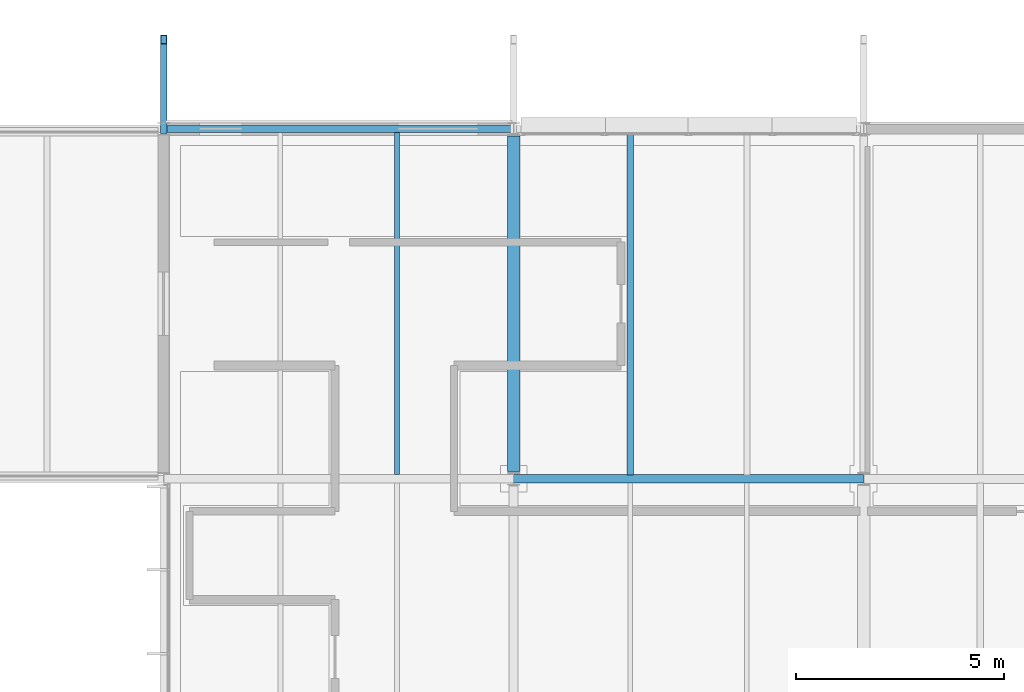
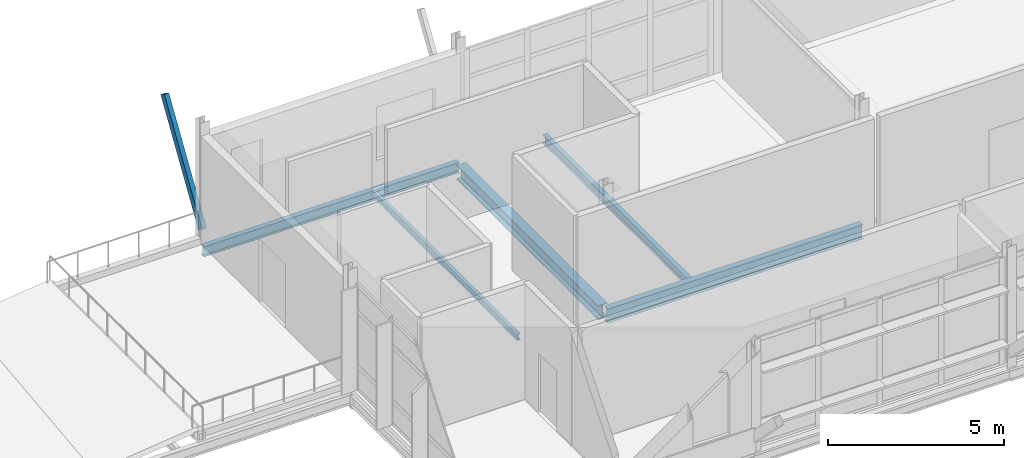
# One storey, part 12 of 35: 5 beams, 1 member.
"""IFC4 building model written with IfcOpenShell, lengths in metres."""

import ifcopenshell
import ifcopenshell.guid

model = None  # the IFC model being written
_history = None  # IfcOwnerHistory: only IFC2X3 demands one
_inside = {}  # id of a spatial element -> (the spatial element, [elements in it])
_under = {}  # id of a project, library or spatial element -> (it, [spatial elements below it])
_declared = {}  # id of a project -> (the project, [libraries it declares])
_typed = {}  # id of a type object -> (the type object, [elements of that type])
_made_of = {}  # id of a material, layer set ... -> (it, [elements and type objects made of it])


def new_model(schema):
    """Start an empty IFC model of exactly this schema.

    Asked for "IFC4X3", IfcOpenShell would pick the latest addendum, in which some entities
    have other attributes; the version numbers below select the first issue.
    IFC2X3 requires an IfcOwnerHistory on every rooted entity: one is made here for all.
    """
    global model, _history
    if schema == "IFC4X3":
        model = ifcopenshell.file(schema_version=(4, 3, 0, 0))
    else:
        model = ifcopenshell.file(schema=schema)
    _inside.clear()
    _under.clear()
    _declared.clear()
    _typed.clear()
    _made_of.clear()
    _history = None
    if model.schema == "IFC2X3":
        org = make("IfcOrganization", Name="unknown")
        user = make(
            "IfcPersonAndOrganization",
            ThePerson=make("IfcPerson", FamilyName="unknown"),
            TheOrganization=org,
        )
        app = make(
            "IfcApplication",
            ApplicationDeveloper=org,
            Version="unknown",
            ApplicationFullName="unknown",
            ApplicationIdentifier="unknown",
        )
        _history = make(
            "IfcOwnerHistory",
            OwningUser=user,
            OwningApplication=app,
            ChangeAction="ADDED",
            CreationDate=0,
        )
    return model


def make(cls, **values):
    """One entity of the class cls with the attributes given. An attribute that is None is left unset."""
    return model.create_entity(
        cls, **{name: value for name, value in values.items() if value is not None}
    )


def rooted(cls, **values):
    """An entity with a GlobalId (a new one), such as an element, a storey or a relation."""
    return make(cls, GlobalId=ifcopenshell.guid.new(), OwnerHistory=_history, **values)


def si_unit(unit_type, name, prefix=None):
    """IfcSIUnit, for example si_unit("LENGTHUNIT", "METRE", prefix="MILLI")."""
    return make("IfcSIUnit", UnitType=unit_type, Prefix=prefix, Name=name)


def assignment(units):
    """IfcUnitAssignment: the units of a project."""
    return None if units is None else make("IfcUnitAssignment", Units=units)


def point(xyz):
    """IfcCartesianPoint."""
    return None if xyz is None else make("IfcCartesianPoint", Coordinates=xyz)


def direction(xyz):
    """IfcDirection."""
    return None if xyz is None else make("IfcDirection", DirectionRatios=xyz)


def frame(location, z_axis=None, x_axis=None):
    """IfcAxis2Placement3D, a coordinate frame: its origin and axes. An axis left out is left unset."""
    return make(
        "IfcAxis2Placement3D",
        Location=point(location),
        Axis=direction(z_axis),
        RefDirection=direction(x_axis),
    )


def frame_2d(location, x_axis=None):
    """IfcAxis2Placement2D, a coordinate frame in the plane: its origin and x axis."""
    return make(
        "IfcAxis2Placement2D", Location=point(location), RefDirection=direction(x_axis)
    )


def origin():
    """The frame at (0, 0, 0) with its axes left unset."""
    return frame((0.0, 0.0, 0.0))


def origin_2d():
    """The frame at (0, 0) in the plane with its x axis left unset."""
    return frame_2d((0.0, 0.0))


def place(relative_to, where):
    """IfcLocalPlacement: puts the frame where relative to a parent placement (None: the world)."""
    return make(
        "IfcLocalPlacement", PlacementRelTo=relative_to, RelativePlacement=where
    )


def context(
    kind, dimensions, precision=None, world=None, true_north=None, identifier=None
):
    """IfcGeometricRepresentationContext, for example the 3D "Model" context."""
    return make(
        "IfcGeometricRepresentationContext",
        ContextIdentifier=identifier,
        ContextType=kind,
        CoordinateSpaceDimension=dimensions,
        Precision=precision,
        WorldCoordinateSystem=world,
        TrueNorth=true_north,
    )


def subcontext(parent, identifier, kind, view, scale=None):
    """IfcGeometricRepresentationSubContext, for example "Body" below "Model"."""
    return make(
        "IfcGeometricRepresentationSubContext",
        ContextIdentifier=identifier,
        ContextType=kind,
        ParentContext=parent,
        TargetScale=scale,
        TargetView=view,
    )


def project(units=None, contexts=None):
    """IfcProject with its units and contexts."""
    return rooted(
        "IfcProject",
        Name="project",
        RepresentationContexts=contexts,
        UnitsInContext=assignment(units),
    )


def spatial(cls, under=None, at=None, **own):
    """A site, building, storey or space (cls), placed at a placement, below another one or the project."""
    s = rooted(cls, ObjectPlacement=at, **own)
    if under is not None:
        _under.setdefault(under.id(), (under, []))[1].append(s)
    return s


def profile(cls, at=None, kind="AREA", **sizes):
    """A parametric profile (cls). Its sizes go by their IFC names, for example OverallWidth=200.0."""
    return make(cls, ProfileType=kind, Position=at, **sizes)


def hollow_rectangle(**sizes):
    """IfcRectangleHollowProfileDef."""
    return profile("IfcRectangleHollowProfileDef", **sizes)


def i_section(**sizes):
    """IfcIShapeProfileDef."""
    return profile("IfcIShapeProfileDef", **sizes)


def extrude(swept, where, along, depth):
    """IfcExtrudedAreaSolid: the profile swept, set in the frame where, extruded along a direction by depth."""
    return make(
        "IfcExtrudedAreaSolid",
        SweptArea=swept,
        Position=where,
        ExtrudedDirection=direction(along),
        Depth=depth,
    )


def shape(context_of_items, identifier, shape_type, items):
    """IfcShapeRepresentation: the items that make up one representation, for example the "Body"."""
    return make(
        "IfcShapeRepresentation",
        ContextOfItems=context_of_items,
        RepresentationIdentifier=identifier,
        RepresentationType=shape_type,
        Items=items,
    )


def material(Name=None, Category=None):
    """IfcMaterial."""
    return make("IfcMaterial", Name=Name, Category=Category)


def material_profile(
    of_material, cross_section, Name=None, Category=None, Priority=None
):
    """IfcMaterialProfile: a cross section and its material."""
    return make(
        "IfcMaterialProfile",
        Name=Name,
        Material=of_material,
        Profile=cross_section,
        Priority=Priority,
        Category=Category,
    )


def profile_set(profiles, Name=None, composite=None):
    """IfcMaterialProfileSet."""
    return make(
        "IfcMaterialProfileSet",
        Name=Name,
        MaterialProfiles=profiles,
        CompositeProfile=composite,
    )


def made_of(thing, what):
    """Note that an element or type object is made of a material, layer set ...; save() writes the relation."""
    if what is not None:
        _made_of.setdefault(what.id(), (what, []))[1].append(thing)
    return thing


def type_object(cls, material=None, **own):
    """A type object (cls), such as IfcWallType, which elements share."""
    return made_of(rooted(cls, **own), material)


def element(
    cls,
    number,
    at=None,
    inside=None,
    cuts=None,
    type_object=None,
    material=None,
    context=None,
    identifier="Body",
    shape_type=None,
    held_by="IfcProductDefinitionShape",
    body=None,
    shapes=None,
    **own,
):
    """One element of the class cls, such as IfcWall. Its Tag is "e" and its number.

    at: its placement. inside: the storey or other place that contains it. cuts: it is an
    opening in that element (IfcRelVoidsElement). A single representation is given by context,
    identifier, shape_type and body (its items); several are given by shapes. held_by: the class
    of the entity that holds the representations. save() writes the other relations.
    """
    e = rooted(cls, Tag="e%d" % number, ObjectPlacement=at, **own)
    if body is not None:
        shapes = [shape(context, identifier, shape_type, body)]
    if shapes is not None:
        e.Representation = make(held_by, Representations=shapes)
    if inside is not None:
        _inside.setdefault(inside.id(), (inside, []))[1].append(e)
    if cuts is not None:
        rooted(
            "IfcRelVoidsElement", RelatingBuildingElement=cuts, RelatedOpeningElement=e
        )
    if type_object is not None:
        _typed.setdefault(type_object.id(), (type_object, []))[1].append(e)
    return made_of(e, material)


def aggregate(whole, parts):
    """IfcRelAggregates: a whole, such as a stair, and the parts it consists of."""
    return rooted("IfcRelAggregates", RelatingObject=whole, RelatedObjects=parts)


def save(model, path):
    """Write the relations noted so far, then the file.

    IfcRelAggregates (storeys below a building ...), IfcRelContainedInSpatialStructure (elements
    in a storey), IfcRelDefinesByType, IfcRelAssociatesMaterial and IfcRelDeclares: one each for
    every whole, place, type object, material and project.
    """
    for whole, parts in _under.values():
        aggregate(whole, parts)
    for where, things in _inside.values():
        rooted(
            "IfcRelContainedInSpatialStructure",
            RelatedElements=things,
            RelatingStructure=where,
        )
    for kind, things in _typed.values():
        rooted("IfcRelDefinesByType", RelatedObjects=things, RelatingType=kind)
    for what, things in _made_of.values():
        rooted("IfcRelAssociatesMaterial", RelatedObjects=things, RelatingMaterial=what)
    for by, libraries in _declared.values():
        rooted("IfcRelDeclares", RelatingContext=by, RelatedDefinitions=libraries)
    model.write(path)


model = new_model("IFC4")

# Units and contexts
model_context = context("Model", 3, precision=1e-05, world=origin(), true_north=direction((0.0, 1.0)))
body_context = subcontext(model_context, "Body", "Model", "MODEL_VIEW")
ifc_project = project(units=[si_unit("LENGTHUNIT", "METRE"), si_unit("AREAUNIT", "SQUARE_METRE"), si_unit("VOLUMEUNIT", "CUBIC_METRE"), si_unit("PLANEANGLEUNIT", "RADIAN"), si_unit("MASSUNIT", "GRAM", prefix="KILO")], contexts=[model_context])

# Site, building, storey
site_placement = place(None, origin())
site = spatial("IfcSite", under=ifc_project, at=site_placement, CompositionType="ELEMENT")
building_placement = place(site_placement, origin())
building = spatial("IfcBuilding", under=site, at=building_placement, Name="Mersafa Astral City Hall", CompositionType="ELEMENT")
storey_placement = place(building_placement, frame((0.0, 0.0, 30.14990234375)))
storey = spatial("IfcBuildingStorey", under=building, at=storey_placement, Name="L07", CompositionType="ELEMENT", Elevation=30.14990234375)

# Beams
ifc_material = material(Name="Steel S355", Category="steel")
ifc_material_profile_1 = material_profile(ifc_material, i_section(OverallWidth=0.300048828125, OverallDepth=0.489990234375, WebThickness=0.011962890625, FlangeThickness=0.02294921875, FilletRadius=0.027099609375, at=origin_2d()), Name="HEA 500")
ifc_profile_set_1 = profile_set([ifc_material_profile_1], Name="Steel S355")
beam_type_1 = type_object("IfcBeamType", Name="STR-BM-HEA500", PredefinedType="BEAM", material=ifc_profile_set_1)
beam_1_placement = place(storey_placement, frame((117.60009765625, 117.77490234375, -0.419921875), z_axis=(0.0, 1.0, 0.0), x_axis=(-1.0, 0.0, 0.0)))
element("IfcBeam", 1, at=beam_1_placement, inside=storey, type_object=beam_type_1, Name="L07 Primary girder Y 14-14", PredefinedType="BEAM", context=body_context, shape_type="SweptSolid", body=[
    extrude(i_section(OverallWidth=0.300048828125, OverallDepth=0.489990234375, WebThickness=0.011962890625, FlangeThickness=0.02294921875, FilletRadius=0.027099609375, at=origin_2d()), origin(), (0.0, 0.0, 1.0), 8.06005859375),
])
ifc_material_profile_2 = material_profile(ifc_material, i_section(OverallWidth=0.199951171875, OverallDepth=0.5, WebThickness=0.01025390625, FlangeThickness=0.01611328125, FilletRadius=0.02099609375, at=origin_2d()), Name="IPE 500")
ifc_profile_set_2 = profile_set([ifc_material_profile_2], Name="Steel S355")
beam_type_2 = type_object("IfcBeamType", Name="STR-BM-IPE500", PredefinedType="BEAM", material=ifc_profile_set_2)
beam_2_placement = place(storey_placement, frame((117.60302734375, 117.60009765625, -0.4248046875), z_axis=(1.0, 0.0, 0.0), x_axis=(0.0, 1.0, 0.0)))
element("IfcBeam", 2, at=beam_2_placement, inside=storey, type_object=beam_type_2, Name="L07 Primary girder X 14-14", PredefinedType="BEAM", context=body_context, shape_type="SweptSolid", body=[
    extrude(i_section(OverallWidth=0.199951171875, OverallDepth=0.5, WebThickness=0.01025390625, FlangeThickness=0.01611328125, FilletRadius=0.02099609375, at=origin_2d()), origin(), (0.0, 0.0, 1.0), 8.39404296875),
])
ifc_material_profile_3 = material_profile(ifc_material, i_section(OverallWidth=0.110107421875, OverallDepth=0.219970703125, WebThickness=0.005859375, FlangeThickness=0.00927734375, FilletRadius=0.011962890625, at=origin_2d()), Name="IPE 220")
ifc_profile_set_3 = profile_set([ifc_material_profile_3], Name="Steel S355")
beam_type_3 = type_object("IfcBeamType", Name="STR-BM-JOIST-IPE220", PredefinedType="JOIST", material=ifc_profile_set_3)
beam_3_placement = place(storey_placement, frame((114.800048828125, 117.699951171875, -0.284912109375), z_axis=(0.0, 1.0, 0.0), x_axis=(-1.0, 0.0, 0.0)))
element("IfcBeam", 3, at=beam_3_placement, inside=storey, type_object=beam_type_3, Name="L07 Composite secondary floor joist 891", PredefinedType="JOIST", context=body_context, shape_type="SweptSolid", body=[
    extrude(i_section(OverallWidth=0.110107421875, OverallDepth=0.219970703125, WebThickness=0.005859375, FlangeThickness=0.00927734375, FilletRadius=0.011962890625, at=origin_2d()), origin(), (0.0, 0.0, 1.0), 8.219970703125),
])
ifc_material_profile_4 = material_profile(ifc_material, i_section(OverallWidth=0.14990234375, OverallDepth=0.300048828125, WebThickness=0.007080078125, FlangeThickness=0.0107421875, FilletRadius=0.014892578125, at=origin_2d()), Name="IPE 300")
ifc_profile_set_4 = profile_set([ifc_material_profile_4], Name="Steel S355")
beam_type_4 = type_object("IfcBeamType", Name="STR-BM-JOIST-IPE300", PredefinedType="JOIST", material=ifc_profile_set_4)
beam_4_placement = place(storey_placement, frame((120.39990234375, 117.695068359375, -0.324951171875), z_axis=(0.0, 1.0, 0.0), x_axis=(-1.0, 0.0, 0.0)))
element("IfcBeam", 4, at=beam_4_placement, inside=storey, type_object=beam_type_4, Name="L07 Composite secondary floor joist 894", PredefinedType="JOIST", context=body_context, shape_type="SweptSolid", body=[
    extrude(i_section(OverallWidth=0.14990234375, OverallDepth=0.300048828125, WebThickness=0.007080078125, FlangeThickness=0.0107421875, FilletRadius=0.014892578125, at=origin_2d()), origin(), (0.0, 0.0, 1.0), 8.22998046875),
])
ifc_material_profile_5 = material_profile(ifc_material, i_section(OverallWidth=0.169921875, OverallDepth=0.360107421875, WebThickness=0.008056640625, FlangeThickness=0.0126953125, FilletRadius=0.01806640625, at=origin_2d()), Name="IPE 360")
ifc_profile_set_5 = profile_set([ifc_material_profile_5], Name="Steel S355")
beam_type_5 = type_object("IfcBeamType", Name="STR-BM-SPANDREL-IPE360", PredefinedType="SPANDREL", material=ifc_profile_set_5)
beam_5_placement = place(storey_placement, frame((109.202880859375, 126.0, -0.35498046875), z_axis=(1.0, 0.0, 0.0), x_axis=(0.0, 1.0, 0.0)))
element("IfcBeam", 5, at=beam_5_placement, inside=storey, type_object=beam_type_5, Name="L07 Primary girder X 13-15", PredefinedType="SPANDREL", context=body_context, shape_type="SweptSolid", body=[
    extrude(i_section(OverallWidth=0.169921875, OverallDepth=0.360107421875, WebThickness=0.008056640625, FlangeThickness=0.0126953125, FilletRadius=0.01806640625, at=origin_2d()), origin(), (0.0, 0.0, 1.0), 8.39404296875),
])

# Member
ifc_material_profile_6 = material_profile(ifc_material, hollow_rectangle(XDim=0.14990234375, YDim=0.25, WallThickness=0.010009765625, at=origin_2d()), Name="RHS 150x250x10")
ifc_profile_set_6 = profile_set([ifc_material_profile_6], Name="Steel S355")
member_type = type_object("IfcMemberType", Name="STR-MBR-STRUT-RHS150X250", PredefinedType="BRACE", material=ifc_profile_set_6)
member_placement = place(storey_placement, frame((109.199951171875, 126.0, 0.400146484375), z_axis=(0.0, 0.535580111443, 0.844484425094), x_axis=(-1.0, 0.0, 0.0)))
element("IfcMember", 6, at=member_placement, inside=storey, type_object=member_type, Name="L07 Raked cosmic eave strut ROOF-T6-V6 N-13", PredefinedType="BRACE", context=body_context, shape_type="SweptSolid", body=[
    extrude(hollow_rectangle(XDim=0.14990234375, YDim=0.25, WallThickness=0.010009765625, at=origin_2d()), origin(), (0.0, 0.0, 1.0), 4.01416015625),
])

save(model, "model.ifc")
